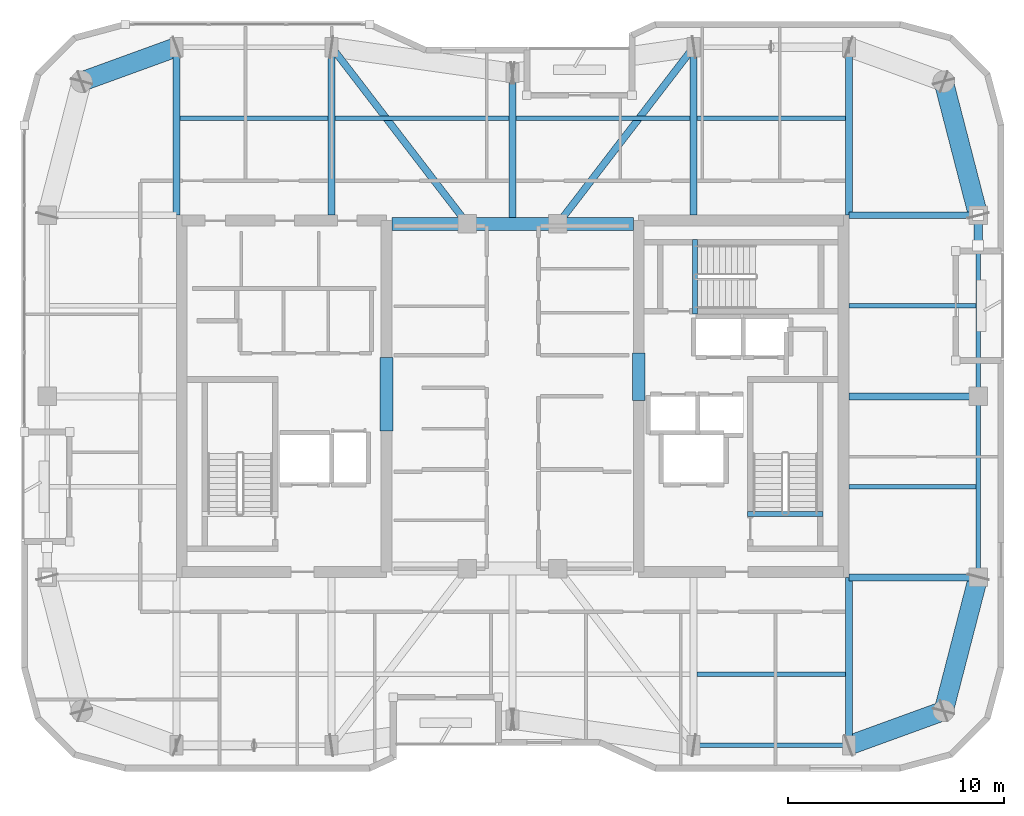
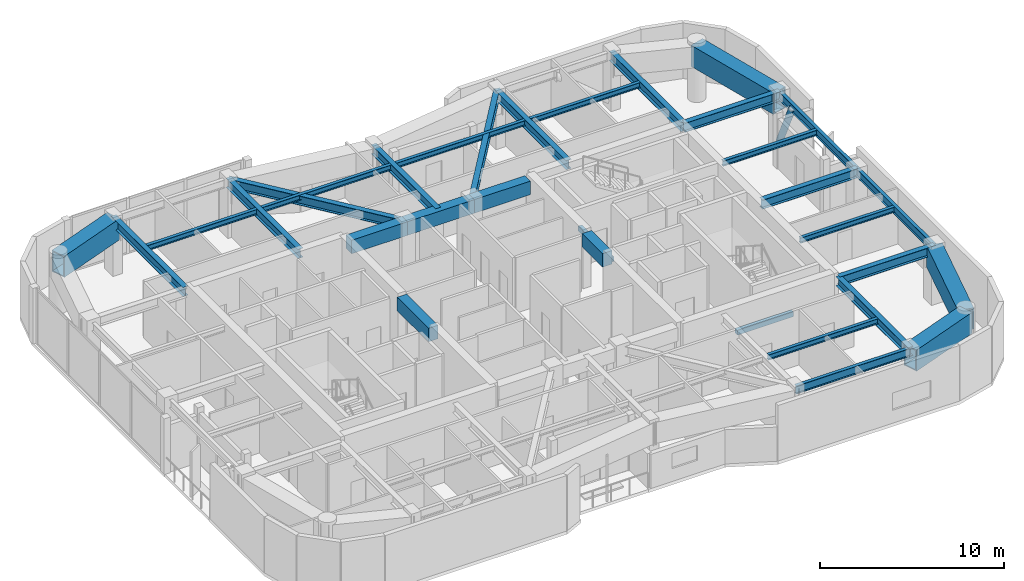
# One storey, part 5 of 16: 32 beams, 1 member.
"""IFC4 building model written with IfcOpenShell, lengths in metres."""

from ifc_helpers import new_model, si_unit, direction, frame, origin, origin_2d, place, context, subcontext, project, spatial, rectangle, hollow_rectangle, hollow_circle, i_section, extrude, material, material_profile, profile_set, type_object, element, save


model = new_model("IFC4")

# Units and contexts
model_context = context("Model", 3, precision=1e-05, world=origin(), true_north=direction((0.0, 1.0)))
body_context = subcontext(model_context, "Body", "Model", "MODEL_VIEW")
ifc_project = project(units=[si_unit("LENGTHUNIT", "METRE"), si_unit("AREAUNIT", "SQUARE_METRE"), si_unit("VOLUMEUNIT", "CUBIC_METRE"), si_unit("PLANEANGLEUNIT", "RADIAN"), si_unit("MASSUNIT", "GRAM", prefix="KILO")], contexts=[model_context])

# Site, building, storey
site_placement = place(None, origin())
site = spatial("IfcSite", under=ifc_project, at=site_placement, CompositionType="ELEMENT")
building_placement = place(site_placement, origin())
building = spatial("IfcBuilding", under=site, at=building_placement, Name="Kiyonajd Concourse Tower", CompositionType="ELEMENT")
storey_placement = place(building_placement, frame((0.0, 0.0, 306.300048828125)))
storey = spatial("IfcBuildingStorey", under=building, at=storey_placement, Name="L77", CompositionType="ELEMENT", Elevation=306.300048828125)

# Beams
ifc_material_1 = material(Name="Concrete C60/75", Category="concrete")
ifc_material_profile_1 = material_profile(ifc_material_1, rectangle(XDim=0.60009765625, YDim=0.89990234375, at=origin_2d()), Name="RCBM-600x900")
ifc_profile_set_1 = profile_set([ifc_material_profile_1], Name="Concrete C60/75")
beam_type_1 = type_object("IfcBeamType", Name="BM-COUP-900", PredefinedType="LINTEL", material=ifc_profile_set_1)
beam_1_placement = place(storey_placement, frame((42.39990234375, 44.0, 3.22998046875), z_axis=(1.0, 0.0, 0.0), x_axis=(0.0, 1.0, 0.0)))
element("IfcBeam", 1, at=beam_1_placement, inside=storey, type_object=beam_type_1, Name="L77 Core Coupling Beam N1", PredefinedType="LINTEL", context=body_context, shape_type="SweptSolid", body=[
    extrude(rectangle(XDim=0.60009765625, YDim=0.89990234375, at=origin_2d()), origin(), (0.0, 0.0, 1.0), 3.5),
])
beam_2_placement = place(storey_placement, frame((45.89990234375, 44.0, 3.22998046875), z_axis=(1.0, 0.0, 0.0), x_axis=(0.0, 1.0, 0.0)))
element("IfcBeam", 2, at=beam_2_placement, inside=storey, type_object=beam_type_1, Name="L77 Core Coupling Beam N2", PredefinedType="LINTEL", context=body_context, shape_type="SweptSolid", body=[
    extrude(rectangle(XDim=0.60009765625, YDim=0.89990234375, at=origin_2d()), origin(), (0.0, 0.0, 1.0), 4.2001953125),
])
beam_3_placement = place(storey_placement, frame((50.10009765625, 44.0, 3.22998046875), z_axis=(1.0, 0.0, 0.0), x_axis=(0.0, 1.0, 0.0)))
element("IfcBeam", 3, at=beam_3_placement, inside=storey, type_object=beam_type_1, Name="L77 Core Coupling Beam N3", PredefinedType="LINTEL", context=body_context, shape_type="SweptSolid", body=[
    extrude(rectangle(XDim=0.60009765625, YDim=0.89990234375, at=origin_2d()), origin(), (0.0, 0.0, 1.0), 3.5),
])
beam_4_placement = place(storey_placement, frame((42.14990234375, 34.39990234375, 3.22998046875), z_axis=(0.0, 1.0, 0.0), x_axis=(-1.0, 0.0, 0.0)))
element("IfcBeam", 4, at=beam_4_placement, inside=storey, type_object=beam_type_1, Name="L77 West Core Throat Coupling Lintel", PredefinedType="LINTEL", context=body_context, shape_type="SweptSolid", body=[
    extrude(rectangle(XDim=0.60009765625, YDim=0.89990234375, at=origin_2d()), origin(), (0.0, 0.0, 1.0), 3.400146484375),
])
beam_5_placement = place(storey_placement, frame((53.85009765625, 35.800048828125, 3.22998046875), z_axis=(0.0, 1.0, 0.0), x_axis=(-1.0, 0.0, 0.0)))
element("IfcBeam", 5, at=beam_5_placement, inside=storey, type_object=beam_type_1, Name="L77 East Core Throat Coupling Lintel", PredefinedType="LINTEL", context=body_context, shape_type="SweptSolid", body=[
    extrude(rectangle(XDim=0.60009765625, YDim=0.89990234375, at=origin_2d()), origin(), (0.0, 0.0, 1.0), 2.199951171875),
])
ifc_material_2 = material(Name="Steel ASTM A992 Grade 50", Category="steel")
ifc_material_profile_2 = material_profile(ifc_material_2, i_section(OverallWidth=0.205078125, OverallDepth=0.35400390625, WebThickness=0.009521484375, FlangeThickness=0.016845703125, at=origin_2d()), Name="W360X79")
ifc_profile_set_2 = profile_set([ifc_material_profile_2], Name="Steel ASTM A992 Grade 50")
beam_type_2 = type_object("IfcBeamType", Name="BM-JST-360", PredefinedType="JOIST", material=ifc_profile_set_2)
for number, where, z_axis, x_axis, name in (
    (6, (56.56201171875, 23.10009765625, 3.5029296875), (1.0, 0.0, 0.0), (0.0, 1.0, 0.0), "L77 Secondary Floor Joist"),
    (7, (32.56201171875, 48.89990234375, 3.5029296875), (1.0, 0.0, 0.0), (0.0, 1.0, 0.0), "L77 Secondary Floor Joist"),
):
    element("IfcBeam", number, at=place(storey_placement, frame(where, z_axis=z_axis, x_axis=x_axis)), inside=storey, type_object=beam_type_2, Name=name, PredefinedType="JOIST", context=body_context, shape_type="SweptSolid", body=[
        extrude(i_section(OverallWidth=0.205078125, OverallDepth=0.35400390625, WebThickness=0.009521484375, FlangeThickness=0.016845703125, at=origin_2d()), origin(), (0.0, 0.0, 1.0), 6.8759765625),
    ])
for number, where, z_axis, x_axis, name in (
    (8, (39.761962890625, 48.89990234375, 3.5029296875), (1.0, 0.0, 0.0), (0.0, 1.0, 0.0), "L77 Secondary Floor Joist"),
    (9, (48.162109375, 48.89990234375, 3.5029296875), (1.0, 0.0, 0.0), (0.0, 1.0, 0.0), "L77 Secondary Floor Joist"),
):
    element("IfcBeam", number, at=place(storey_placement, frame(where, z_axis=z_axis, x_axis=x_axis)), inside=storey, type_object=beam_type_2, Name=name, PredefinedType="JOIST", context=body_context, shape_type="SweptSolid", body=[
        extrude(i_section(OverallWidth=0.205078125, OverallDepth=0.35400390625, WebThickness=0.009521484375, FlangeThickness=0.016845703125, at=origin_2d()), origin(), (0.0, 0.0, 1.0), 8.075927734375),
    ])
beam_6_placement = place(storey_placement, frame((56.56201171875, 48.89990234375, 3.5029296875), z_axis=(1.0, 0.0, 0.0), x_axis=(0.0, 1.0, 0.0)))
element("IfcBeam", 10, at=beam_6_placement, inside=storey, type_object=beam_type_2, Name="L77 Secondary Floor Joist", PredefinedType="JOIST", context=body_context, shape_type="SweptSolid", body=[
    extrude(i_section(OverallWidth=0.205078125, OverallDepth=0.35400390625, WebThickness=0.009521484375, FlangeThickness=0.016845703125, at=origin_2d()), origin(), (0.0, 0.0, 1.0), 6.8759765625),
])
for number, where, z_axis, x_axis, name in (
    (11, (63.60009765625, 31.800048828125, 3.5029296875), (1.0, 0.0, 0.0), (0.0, 1.0, 0.0), "L77 East Secondary Floor Joist"),
    (12, (63.60009765625, 40.199951171875, 3.5029296875), (1.0, 0.0, 0.0), (0.0, 1.0, 0.0), "L77 East Secondary Floor Joist"),
):
    element("IfcBeam", number, at=place(storey_placement, frame(where, z_axis=z_axis, x_axis=x_axis)), inside=storey, type_object=beam_type_2, Name=name, PredefinedType="JOIST", context=body_context, shape_type="SweptSolid", body=[
        extrude(i_section(OverallWidth=0.205078125, OverallDepth=0.35400390625, WebThickness=0.009521484375, FlangeThickness=0.016845703125, at=origin_2d()), origin(), (0.0, 0.0, 1.0), 5.894287109375),
    ])
ifc_material_3 = material(Name="Concrete C50/60", Category="concrete")
ifc_material_profile_3 = material_profile(ifc_material_3, rectangle(XDim=0.239990234375, YDim=0.320068359375, at=origin_2d()), Name="RCBM-240x320")
ifc_profile_set_3 = profile_set([ifc_material_profile_3], Name="Concrete C50/60")
beam_type_3 = type_object("IfcBeamType", Name="BM-LNT-250", PredefinedType="LINTEL", material=ifc_profile_set_3)
beam_7_placement = place(storey_placement, frame((58.889892578125, 30.530029296875, -0.16015625), z_axis=(1.0, 0.0, 0.0), x_axis=(0.0, 1.0, 0.0)))
element("IfcBeam", 13, at=beam_7_placement, inside=storey, type_object=beam_type_3, Name="L77 Stair ST2 Threshold Support Beam", PredefinedType="LINTEL", context=body_context, shape_type="SweptSolid", body=[
    extrude(rectangle(XDim=0.239990234375, YDim=0.320068359375, at=origin_2d()), origin(), (0.0, 0.0, 1.0), 3.52001953125),
])
beam_8_placement = place(storey_placement, frame((56.4599609375, 39.820068359375, -0.16015625), z_axis=(0.0, 1.0, 0.0), x_axis=(-1.0, 0.0, 0.0)))
element("IfcBeam", 14, at=beam_8_placement, inside=storey, type_object=beam_type_3, Name="L77 Stair ST3 Threshold Support Beam", PredefinedType="LINTEL", context=body_context, shape_type="SweptSolid", body=[
    extrude(rectangle(XDim=0.239990234375, YDim=0.320068359375, at=origin_2d()), origin(), (0.0, 0.0, 1.0), 3.4599609375),
])
ifc_material_profile_4 = material_profile(ifc_material_2, i_section(OverallWidth=0.2109375, OverallDepth=0.5390625, WebThickness=0.01171875, FlangeThickness=0.018798828125, at=origin_2d()), Name="W530X109")
ifc_profile_set_4 = profile_set([ifc_material_profile_4], Name="Steel ASTM A992 Grade 50")
beam_type_4 = type_object("IfcBeamType", Name="BM-SPAN-530B", PredefinedType="SPANDREL", material=ifc_profile_set_4)
beam_9_placement = place(storey_placement, frame((56.39990234375, 19.800048828125, 3.410400390625), z_axis=(1.0, 0.0, 0.0), x_axis=(0.0, 1.0, 0.0)))
element("IfcBeam", 15, at=beam_9_placement, inside=storey, type_object=beam_type_4, Name="L77 Perimeter Bundled Tube Spandrel", PredefinedType="SPANDREL", context=body_context, shape_type="SweptSolid", body=[
    extrude(i_section(OverallWidth=0.2109375, OverallDepth=0.5390625, WebThickness=0.01171875, FlangeThickness=0.018798828125, at=origin_2d()), origin(), (0.0, 0.0, 1.0), 7.2001953125),
])
for number, where, z_axis, x_axis, name in (
    (16, (69.60009765625, 27.60009765625, 3.410400390625), (0.0, 1.0, 0.0), (-1.0, 0.0, 0.0), "L77 Perimeter Bundled Tube Spandrel"),
    (17, (69.60009765625, 36.0, 3.410400390625), (0.0, 1.0, 0.0), (-1.0, 0.0, 0.0), "L77 Perimeter Bundled Tube Spandrel"),
):
    element("IfcBeam", number, at=place(storey_placement, frame(where, z_axis=z_axis, x_axis=x_axis)), inside=storey, type_object=beam_type_4, Name=name, PredefinedType="SPANDREL", context=body_context, shape_type="SweptSolid", body=[
        extrude(i_section(OverallWidth=0.2109375, OverallDepth=0.5390625, WebThickness=0.01171875, FlangeThickness=0.018798828125, at=origin_2d()), origin(), (0.0, 0.0, 1.0), 8.39990234375),
    ])
ifc_material_profile_5 = material_profile(ifc_material_2, i_section(OverallWidth=0.326904296875, OverallDepth=0.6220703125, WebThickness=0.015380859375, FlangeThickness=0.0244140625, at=origin_2d()), Name="W610X195")
ifc_profile_set_5 = profile_set([ifc_material_profile_5], Name="Steel ASTM A992 Grade 50")
beam_type_5 = type_object("IfcBeamType", Name="BM-TWR-610A", PredefinedType="BEAM", material=ifc_profile_set_5)
for number, where, z_axis, x_axis, name in (
    (18, (39.60009765625, 52.199951171875, 3.368896484375), (0.609233709922, -0.792990722956, 0.0), (0.792990722956, 0.609233709922, 0.0), "L77 Core Tie Girder"),
    (19, (50.10009765625, 44.0, 3.368896484375), (0.609233709922, 0.792990722956, 0.0), (-0.792990722956, 0.609233709922, 0.0), "L77 Core Tie Girder"),
):
    element("IfcBeam", number, at=place(storey_placement, frame(where, z_axis=z_axis, x_axis=x_axis)), inside=storey, type_object=beam_type_5, Name=name, PredefinedType="BEAM", context=body_context, shape_type="SweptSolid", body=[
        extrude(i_section(OverallWidth=0.326904296875, OverallDepth=0.6220703125, WebThickness=0.015380859375, FlangeThickness=0.0244140625, at=origin_2d()), origin(), (0.0, 0.0, 1.0), 10.340576171875),
    ])
ifc_material_profile_6 = material_profile(ifc_material_2, i_section(OverallWidth=0.323974609375, OverallDepth=0.611083984375, WebThickness=0.0126953125, FlangeThickness=0.01904296875, at=origin_2d()), Name="W610X155")
ifc_profile_set_6 = profile_set([ifc_material_profile_6], Name="Steel ASTM A992 Grade 50")
beam_type_6 = type_object("IfcBeamType", Name="BM-TWR-610B", PredefinedType="BEAM", material=ifc_profile_set_6)
for number, where, z_axis, x_axis, name in (
    (20, (32.39990234375, 44.39990234375, 3.37451171875), (0.0, 1.0, 0.0), (-1.0, 0.0, 0.0), "L77 North Lease Girder"),
    (21, (39.60009765625, 44.39990234375, 3.37451171875), (0.0, 1.0, 0.0), (-1.0, 0.0, 0.0), "L77 North Lease Girder"),
    (22, (56.39990234375, 44.39990234375, 3.37451171875), (0.0, 1.0, 0.0), (-1.0, 0.0, 0.0), "L77 North Lease Girder"),
    (23, (63.60009765625, 19.800048828125, 3.37451171875), (0.0, 1.0, 0.0), (-1.0, 0.0, 0.0), "L77 South Lease Girder"),
    (24, (63.60009765625, 44.39990234375, 3.37451171875), (0.0, 1.0, 0.0), (-1.0, 0.0, 0.0), "L77 North Lease Girder"),
):
    element("IfcBeam", number, at=place(storey_placement, frame(where, z_axis=z_axis, x_axis=x_axis)), inside=storey, type_object=beam_type_6, Name=name, PredefinedType="BEAM", context=body_context, shape_type="SweptSolid", body=[
        extrude(i_section(OverallWidth=0.323974609375, OverallDepth=0.611083984375, WebThickness=0.0126953125, FlangeThickness=0.01904296875, at=origin_2d()), origin(), (0.0, 0.0, 1.0), 7.800048828125),
    ])
beam_10_placement = place(storey_placement, frame((48.0, 44.0, 3.37451171875), z_axis=(0.0, 1.0, 0.0), x_axis=(-1.0, 0.0, 0.0)))
element("IfcBeam", 25, at=beam_10_placement, inside=storey, type_object=beam_type_6, Name="L77 North Ribbon Girder", PredefinedType="BEAM", context=body_context, shape_type="SweptSolid", body=[
    extrude(i_section(OverallWidth=0.323974609375, OverallDepth=0.611083984375, WebThickness=0.0126953125, FlangeThickness=0.01904296875, at=origin_2d()), origin(), (0.0, 0.0, 1.0), 7.0),
])
for number, where, z_axis, x_axis, name in (
    (26, (63.60009765625, 27.60009765625, 3.37451171875), (1.0, 0.0, 0.0), (0.0, 1.0, 0.0), "L77 East Lease Girder"),
    (27, (63.60009765625, 36.0, 3.37451171875), (1.0, 0.0, 0.0), (0.0, 1.0, 0.0), "L77 East Lease Girder"),
    (28, (63.60009765625, 44.39990234375, 3.37451171875), (1.0, 0.0, 0.0), (0.0, 1.0, 0.0), "L77 East Lease Girder"),
):
    element("IfcBeam", number, at=place(storey_placement, frame(where, z_axis=z_axis, x_axis=x_axis)), inside=storey, type_object=beam_type_6, Name=name, PredefinedType="BEAM", context=body_context, shape_type="SweptSolid", body=[
        extrude(i_section(OverallWidth=0.323974609375, OverallDepth=0.611083984375, WebThickness=0.0126953125, FlangeThickness=0.01904296875, at=origin_2d()), origin(), (0.0, 0.0, 1.0), 6.0),
    ])
ifc_material_4 = material(Name="Steel ASTM A572 Grade 50", Category="steel")
ifc_material_profile_7 = material_profile(ifc_material_4, hollow_rectangle(XDim=0.89990234375, YDim=1.39990234375, WallThickness=0.070068359375, at=origin_2d()), Name="BOX-1400x900x70")
ifc_profile_set_7 = profile_set([ifc_material_profile_7], Name="Steel ASTM A572 Grade 50")
beam_type_7 = type_object("IfcBeamType", Name="BM-XFER-1400", PredefinedType="BEAM", material=ifc_profile_set_7)
beam_11_placement = place(storey_placement, frame((63.60009765625, 19.800048828125, 2.97998046875), z_axis=(0.939801036019, 0.341722127901, 0.0), x_axis=(-0.341722127901, 0.939801036019, 0.0)))
element("IfcBeam", 29, at=beam_11_placement, inside=storey, type_object=beam_type_7, Name="L77 Perimeter Bundled Tube Spandrel", PredefinedType="BEAM", context=body_context, shape_type="SweptSolid", body=[
    extrude(hollow_rectangle(XDim=0.89990234375, YDim=1.39990234375, WallThickness=0.070068359375, at=origin_2d()), origin(), (0.0, 0.0, 1.0), 4.681640625),
])
for number, where, z_axis, x_axis, name in (
    (30, (68.0, 21.39990234375, 2.97998046875), (0.249884937687, 0.968275538221, 0.0), (-0.968275538221, 0.249884937687, 0.0), "L77 Perimeter Bundled Tube Spandrel"),
    (31, (69.60009765625, 44.39990234375, 2.97998046875), (-0.249884937687, 0.968275538221, 0.0), (-0.968275538221, -0.249884937687, 0.0), "L77 Perimeter Bundled Tube Spandrel"),
):
    element("IfcBeam", number, at=place(storey_placement, frame(where, z_axis=z_axis, x_axis=x_axis)), inside=storey, type_object=beam_type_7, Name=name, PredefinedType="BEAM", context=body_context, shape_type="SweptSolid", body=[
        extrude(hollow_rectangle(XDim=0.89990234375, YDim=1.39990234375, WallThickness=0.070068359375, at=origin_2d()), origin(), (0.0, 0.0, 1.0), 6.4033203125),
    ])
beam_12_placement = place(storey_placement, frame((32.39990234375, 52.199951171875, 2.97998046875), z_axis=(-0.939801036019, -0.341722127901, 0.0), x_axis=(0.341722127901, -0.939801036019, 0.0)))
element("IfcBeam", 32, at=beam_12_placement, inside=storey, type_object=beam_type_7, Name="L77 Perimeter Bundled Tube Spandrel", PredefinedType="BEAM", context=body_context, shape_type="SweptSolid", body=[
    extrude(hollow_rectangle(XDim=0.89990234375, YDim=1.39990234375, WallThickness=0.070068359375, at=origin_2d()), origin(), (0.0, 0.0, 1.0), 4.681640625),
])

# Member
ifc_material_5 = material(Name="Steel ASTM A500 Grade C", Category="steel")
ifc_material_profile_8 = material_profile(ifc_material_5, hollow_circle(Radius=0.202880859375, WallThickness=0.01904296875, at=origin_2d()), Name="CHS-406x19")
ifc_profile_set_8 = profile_set([ifc_material_profile_8], Name="Steel ASTM A500 Grade C")
member_type = type_object("IfcMemberType", Name="MB-PB-HIGH", PredefinedType="BRACE", material=ifc_profile_set_8)
member_placement = place(storey_placement, frame((69.60009765625, 44.39990234375, 0.300048828125), z_axis=(0.0, -0.419438517439, 0.907783746323), x_axis=(1.0, 0.0, 0.0)))
element("IfcMember", 33, at=member_placement, inside=storey, type_object=member_type, Name="L77 Upper Zone Hollow Tube Brace PBE", PredefinedType="BRACE", context=body_context, shape_type="SweptSolid", body=[
    extrude(hollow_circle(Radius=0.202880859375, WallThickness=0.01904296875, at=origin_2d()), origin(), (0.0, 0.0, 1.0), 3.337646484375),
])

save(model, "model.ifc")
